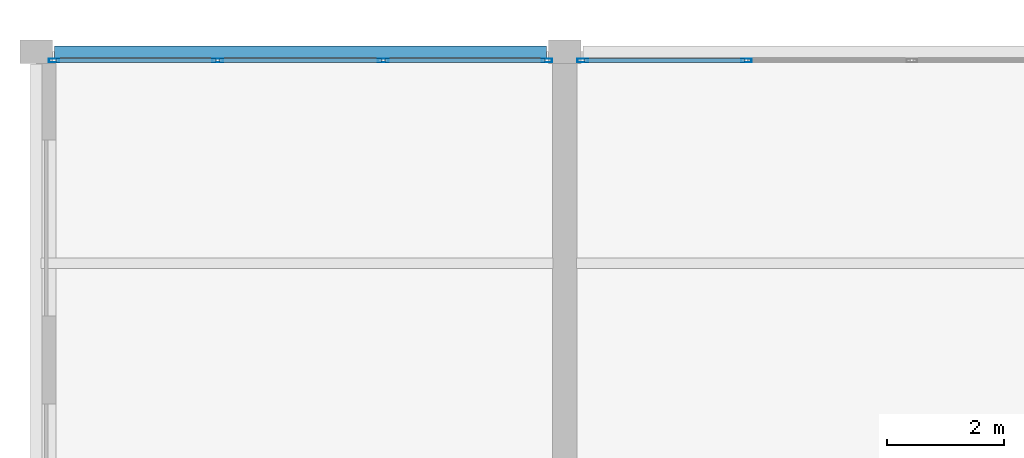
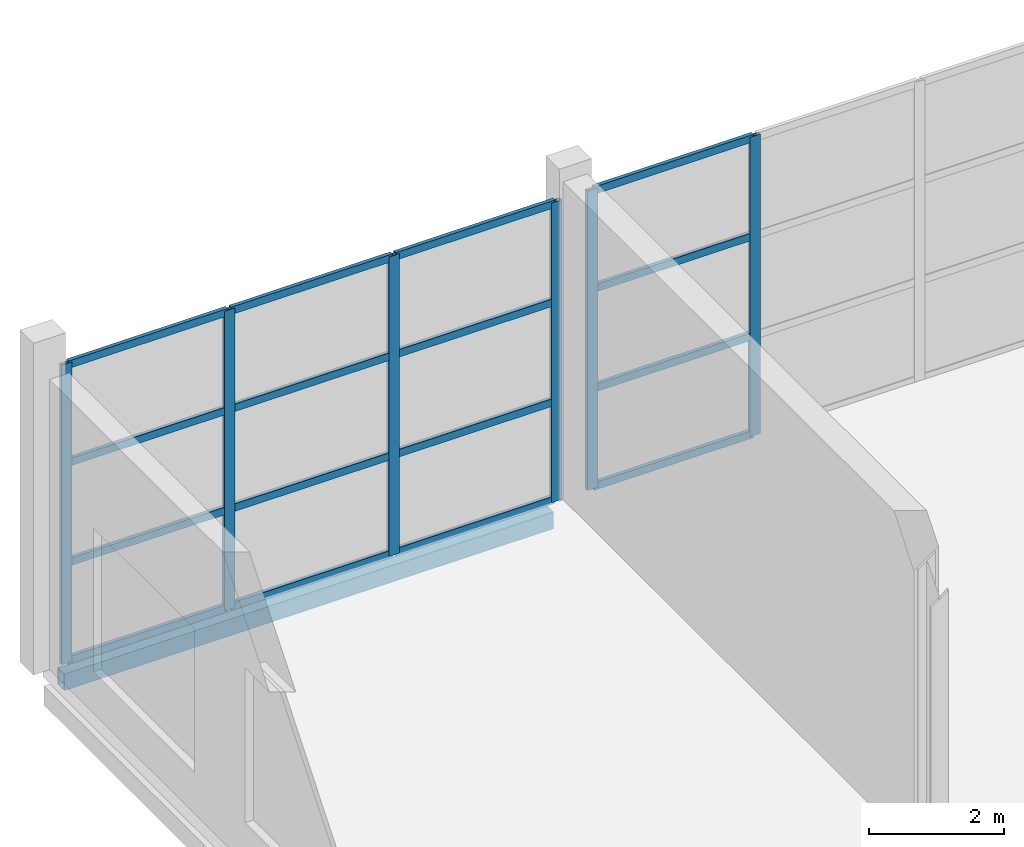
# One storey, part 89 of 191: 22 members, 1 beam, 2 elements without a shape of their own.
"""IFC4 building model written with IfcOpenShell, lengths in metres."""

from ifc_helpers import new_model, si_unit, direction, frame, origin, origin_2d, place, context, subcontext, project, spatial, hollow_rectangle, extrude, material, layer, layer_set, material_profile, profile_set, type_object, element, aggregate, save


model = new_model("IFC4")

# Units and contexts
model_context = context("Model", 3, precision=1e-05, world=origin(), true_north=direction((0.0, 1.0)))
body_context = subcontext(model_context, "Body", "Model", "MODEL_VIEW")
ifc_project = project(units=[si_unit("LENGTHUNIT", "METRE"), si_unit("AREAUNIT", "SQUARE_METRE"), si_unit("VOLUMEUNIT", "CUBIC_METRE"), si_unit("PLANEANGLEUNIT", "RADIAN"), si_unit("MASSUNIT", "GRAM", prefix="KILO")], contexts=[model_context])

# Site, building, storey
site_placement = place(None, origin())
site = spatial("IfcSite", under=ifc_project, at=site_placement, CompositionType="ELEMENT")
building_placement = place(site_placement, origin())
building = spatial("IfcBuilding", under=site, at=building_placement, Name="Tamarisk Ironworks Central Station", CompositionType="ELEMENT")
storey_placement = place(building_placement, frame((0.0, 0.0, 6.60009765625)))
storey = spatial("IfcBuildingStorey", under=building, at=storey_placement, Name="L01", CompositionType="ELEMENT", Elevation=6.60009765625)

# Beam
ifc_material_1 = material(Name="Structural steel S355J2", Category="steel")
ifc_material_profile_1 = material_profile(ifc_material_1, hollow_rectangle(XDim=0.199951171875, YDim=0.300048828125, WallThickness=0.011962890625, at=origin_2d()), Name="RHS 300x200x12")
ifc_profile_set_1 = profile_set([ifc_material_profile_1], Name="Structural steel S355J2")
beam_type = type_object("IfcBeamType", Name="BM-SP02", PredefinedType="SPANDREL", material=ifc_profile_set_1)
beam_placement = place(storey_placement, frame((0.31298828125, 122.39990234375, -0.400146484375), z_axis=(1.0, 0.0, 0.0), x_axis=(0.0, 1.0, 0.0)))
element("IfcBeam", 1, at=beam_placement, inside=storey, type_object=beam_type, Name="L01 primary girder X-0143", PredefinedType="SPANDREL", context=body_context, shape_type="SweptSolid", body=[
    extrude(hollow_rectangle(XDim=0.199951171875, YDim=0.300048828125, WallThickness=0.011962890625, at=origin_2d()), origin(), (0.0, 0.0, 1.0), 8.3740234375),
])

# Curtain wall, members
ifc_material_2 = material(Name="Anodized aluminium alloy 6063-T6", Category="aluminium")
ifc_layer = layer(ifc_material_2, 0.179931640625)
ifc_layer_set = layer_set([ifc_layer], Name="Anodized aluminium alloy 6063-T6")
curtain_wall_type = type_object("IfcCurtainWallType", Name="CW-13", PredefinedType="USERDEFINED", material=ifc_layer_set)
curtain_wall_1_placement = place(storey_placement, origin())
curtain_wall_1 = element("IfcCurtainWall", 2, at=curtain_wall_1_placement, inside=storey, type_object=curtain_wall_type, Name="Pavilion L01 N glazed arcade 00", ObjectType="GLAZED CURTAIN WALL", PredefinedType="USERDEFINED")
ifc_material_profile_2 = material_profile(ifc_material_2, hollow_rectangle(XDim=0.06494140625, YDim=0.179931640625, WallThickness=0.00390625, at=origin_2d()), Name="ALUM 180x65")
ifc_profile_set_2 = profile_set([ifc_material_profile_2], Name="Anodized aluminium alloy 6063-T6")
member_type_1 = type_object("IfcMemberType", Name="CWM-02", PredefinedType="MULLION", material=ifc_profile_set_2)
member_1_placement = place(storey_placement, frame((0.305419921875, 122.25, 0.0), z_axis=(0.0, 0.0, 1.0), x_axis=(0.0, 1.0, 0.0)))
member_1 = element("IfcMember", 3, at=member_1_placement, type_object=member_type_1, Name="CW13 mullion 1", PredefinedType="MULLION", context=body_context, shape_type="SweptSolid", body=[
    extrude(hollow_rectangle(XDim=0.06494140625, YDim=0.179931640625, WallThickness=0.00390625, at=origin_2d()), origin(), (0.0, 0.0, 1.0), 5.419921875),
])
member_2_placement = place(storey_placement, frame((3.091064453125, 122.25, 0.0), z_axis=(0.0, 0.0, 1.0), x_axis=(0.0, 1.0, 0.0)))
member_2 = element("IfcMember", 4, at=member_2_placement, type_object=member_type_1, Name="CW13 mullion 2", PredefinedType="MULLION", context=body_context, shape_type="SweptSolid", body=[
    extrude(hollow_rectangle(XDim=0.06494140625, YDim=0.179931640625, WallThickness=0.00390625, at=origin_2d()), origin(), (0.0, 0.0, 1.0), 5.419921875),
])
member_3_placement = place(storey_placement, frame((5.908935546875, 122.25, 0.0), z_axis=(0.0, 0.0, 1.0), x_axis=(0.0, 1.0, 0.0)))
member_3 = element("IfcMember", 5, at=member_3_placement, type_object=member_type_1, Name="CW13 mullion 3", PredefinedType="MULLION", context=body_context, shape_type="SweptSolid", body=[
    extrude(hollow_rectangle(XDim=0.06494140625, YDim=0.179931640625, WallThickness=0.00390625, at=origin_2d()), origin(), (0.0, 0.0, 1.0), 5.419921875),
])
member_4_placement = place(storey_placement, frame((8.694580078125, 122.25, 0.0), z_axis=(0.0, 0.0, 1.0), x_axis=(0.0, 1.0, 0.0)))
member_4 = element("IfcMember", 6, at=member_4_placement, type_object=member_type_1, Name="CW13 mullion 4", PredefinedType="MULLION", context=body_context, shape_type="SweptSolid", body=[
    extrude(hollow_rectangle(XDim=0.06494140625, YDim=0.179931640625, WallThickness=0.00390625, at=origin_2d()), origin(), (0.0, 0.0, 1.0), 5.419921875),
])

curtain_wall_2_placement = place(storey_placement, origin())
curtain_wall_2 = element("IfcCurtainWall", 7, at=curtain_wall_2_placement, inside=storey, type_object=curtain_wall_type, Name="Pavilion L01 N glazed arcade 09", ObjectType="GLAZED CURTAIN WALL", PredefinedType="USERDEFINED")
member_5_placement = place(storey_placement, frame((9.305419921875, 122.25, 0.0), z_axis=(0.0, 0.0, 1.0), x_axis=(0.0, 1.0, 0.0)))
member_5 = element("IfcMember", 8, at=member_5_placement, type_object=member_type_1, Name="CW13 mullion 1", PredefinedType="MULLION", context=body_context, shape_type="SweptSolid", body=[
    extrude(hollow_rectangle(XDim=0.06494140625, YDim=0.179931640625, WallThickness=0.00390625, at=origin_2d()), origin(), (0.0, 0.0, 1.0), 5.419921875),
])
member_6_placement = place(storey_placement, frame((12.091064453125, 122.25, 0.0), z_axis=(0.0, 0.0, 1.0), x_axis=(0.0, 1.0, 0.0)))
member_6 = element("IfcMember", 9, at=member_6_placement, type_object=member_type_1, Name="CW13 mullion 2", PredefinedType="MULLION", context=body_context, shape_type="SweptSolid", body=[
    extrude(hollow_rectangle(XDim=0.06494140625, YDim=0.179931640625, WallThickness=0.00390625, at=origin_2d()), origin(), (0.0, 0.0, 1.0), 5.419921875),
])

# Member
ifc_material_profile_3 = material_profile(ifc_material_2, hollow_rectangle(XDim=0.06494140625, YDim=0.135009765625, WallThickness=0.00341796875, at=origin_2d()), Name="ALUM 135x65")
ifc_profile_set_3 = profile_set([ifc_material_profile_3], Name="Anodized aluminium alloy 6063-T6")
member_type_2 = type_object("IfcMemberType", Name="CWT-02", PredefinedType="USERDEFINED", material=ifc_profile_set_3)
member_7_placement = place(storey_placement, frame((0.333984375, 122.25, 0.032470703125), z_axis=(1.0, 0.0, 0.0), x_axis=(0.0, 1.0, 0.0)))
member_7 = element("IfcMember", 10, at=member_7_placement, type_object=member_type_2, Name="CW13 transom 1.1", ObjectType="TRANSOM", PredefinedType="USERDEFINED", context=body_context, shape_type="SweptSolid", body=[
    extrude(hollow_rectangle(XDim=0.06494140625, YDim=0.135009765625, WallThickness=0.00341796875, at=origin_2d()), origin(), (0.0, 0.0, 1.0), 2.728515625),
])

member_8_placement = place(storey_placement, frame((0.333984375, 122.25, 1.806640625), z_axis=(1.0, 0.0, 0.0), x_axis=(0.0, 1.0, 0.0)))
member_8 = element("IfcMember", 11, at=member_8_placement, type_object=member_type_2, Name="CW13 transom 1.2", ObjectType="TRANSOM", PredefinedType="USERDEFINED", context=body_context, shape_type="SweptSolid", body=[
    extrude(hollow_rectangle(XDim=0.06494140625, YDim=0.135009765625, WallThickness=0.00341796875, at=origin_2d()), origin(), (0.0, 0.0, 1.0), 2.728515625),
])

member_9_placement = place(storey_placement, frame((0.333984375, 122.25, 3.61328125), z_axis=(1.0, 0.0, 0.0), x_axis=(0.0, 1.0, 0.0)))
member_9 = element("IfcMember", 12, at=member_9_placement, type_object=member_type_2, Name="CW13 transom 1.3", ObjectType="TRANSOM", PredefinedType="USERDEFINED", context=body_context, shape_type="SweptSolid", body=[
    extrude(hollow_rectangle(XDim=0.06494140625, YDim=0.135009765625, WallThickness=0.00341796875, at=origin_2d()), origin(), (0.0, 0.0, 1.0), 2.728515625),
])

member_10_placement = place(storey_placement, frame((0.333984375, 122.25, 5.387451171875), z_axis=(1.0, 0.0, 0.0), x_axis=(0.0, 1.0, 0.0)))
member_10 = element("IfcMember", 13, at=member_10_placement, type_object=member_type_2, Name="CW13 transom 1.4", ObjectType="TRANSOM", PredefinedType="USERDEFINED", context=body_context, shape_type="SweptSolid", body=[
    extrude(hollow_rectangle(XDim=0.06494140625, YDim=0.135009765625, WallThickness=0.00341796875, at=origin_2d()), origin(), (0.0, 0.0, 1.0), 2.728515625),
])

member_11_placement = place(storey_placement, frame((3.119384765625, 122.25, 0.032470703125), z_axis=(1.0, 0.0, 0.0), x_axis=(0.0, 1.0, 0.0)))
member_11 = element("IfcMember", 14, at=member_11_placement, type_object=member_type_2, Name="CW13 transom 2.1", ObjectType="TRANSOM", PredefinedType="USERDEFINED", context=body_context, shape_type="SweptSolid", body=[
    extrude(hollow_rectangle(XDim=0.06494140625, YDim=0.135009765625, WallThickness=0.00341796875, at=origin_2d()), origin(), (0.0, 0.0, 1.0), 2.76123046875),
])

member_12_placement = place(storey_placement, frame((3.119384765625, 122.25, 1.806640625), z_axis=(1.0, 0.0, 0.0), x_axis=(0.0, 1.0, 0.0)))
member_12 = element("IfcMember", 15, at=member_12_placement, type_object=member_type_2, Name="CW13 transom 2.2", ObjectType="TRANSOM", PredefinedType="USERDEFINED", context=body_context, shape_type="SweptSolid", body=[
    extrude(hollow_rectangle(XDim=0.06494140625, YDim=0.135009765625, WallThickness=0.00341796875, at=origin_2d()), origin(), (0.0, 0.0, 1.0), 2.76123046875),
])

member_13_placement = place(storey_placement, frame((3.119384765625, 122.25, 3.61328125), z_axis=(1.0, 0.0, 0.0), x_axis=(0.0, 1.0, 0.0)))
member_13 = element("IfcMember", 16, at=member_13_placement, type_object=member_type_2, Name="CW13 transom 2.3", ObjectType="TRANSOM", PredefinedType="USERDEFINED", context=body_context, shape_type="SweptSolid", body=[
    extrude(hollow_rectangle(XDim=0.06494140625, YDim=0.135009765625, WallThickness=0.00341796875, at=origin_2d()), origin(), (0.0, 0.0, 1.0), 2.76123046875),
])

member_14_placement = place(storey_placement, frame((3.119384765625, 122.25, 5.387451171875), z_axis=(1.0, 0.0, 0.0), x_axis=(0.0, 1.0, 0.0)))
member_14 = element("IfcMember", 17, at=member_14_placement, type_object=member_type_2, Name="CW13 transom 2.4", ObjectType="TRANSOM", PredefinedType="USERDEFINED", context=body_context, shape_type="SweptSolid", body=[
    extrude(hollow_rectangle(XDim=0.06494140625, YDim=0.135009765625, WallThickness=0.00341796875, at=origin_2d()), origin(), (0.0, 0.0, 1.0), 2.76123046875),
])

member_15_placement = place(storey_placement, frame((5.9375, 122.25, 0.032470703125), z_axis=(1.0, 0.0, 0.0), x_axis=(0.0, 1.0, 0.0)))
member_15 = element("IfcMember", 18, at=member_15_placement, type_object=member_type_2, Name="CW13 transom 3.1", ObjectType="TRANSOM", PredefinedType="USERDEFINED", context=body_context, shape_type="SweptSolid", body=[
    extrude(hollow_rectangle(XDim=0.06494140625, YDim=0.135009765625, WallThickness=0.00341796875, at=origin_2d()), origin(), (0.0, 0.0, 1.0), 2.728515625),
])

member_16_placement = place(storey_placement, frame((5.9375, 122.25, 1.806640625), z_axis=(1.0, 0.0, 0.0), x_axis=(0.0, 1.0, 0.0)))
member_16 = element("IfcMember", 19, at=member_16_placement, type_object=member_type_2, Name="CW13 transom 3.2", ObjectType="TRANSOM", PredefinedType="USERDEFINED", context=body_context, shape_type="SweptSolid", body=[
    extrude(hollow_rectangle(XDim=0.06494140625, YDim=0.135009765625, WallThickness=0.00341796875, at=origin_2d()), origin(), (0.0, 0.0, 1.0), 2.728515625),
])

member_17_placement = place(storey_placement, frame((5.9375, 122.25, 3.61328125), z_axis=(1.0, 0.0, 0.0), x_axis=(0.0, 1.0, 0.0)))
member_17 = element("IfcMember", 20, at=member_17_placement, type_object=member_type_2, Name="CW13 transom 3.3", ObjectType="TRANSOM", PredefinedType="USERDEFINED", context=body_context, shape_type="SweptSolid", body=[
    extrude(hollow_rectangle(XDim=0.06494140625, YDim=0.135009765625, WallThickness=0.00341796875, at=origin_2d()), origin(), (0.0, 0.0, 1.0), 2.728515625),
])

member_18_placement = place(storey_placement, frame((5.9375, 122.25, 5.387451171875), z_axis=(1.0, 0.0, 0.0), x_axis=(0.0, 1.0, 0.0)))
member_18 = element("IfcMember", 21, at=member_18_placement, type_object=member_type_2, Name="CW13 transom 3.4", ObjectType="TRANSOM", PredefinedType="USERDEFINED", context=body_context, shape_type="SweptSolid", body=[
    extrude(hollow_rectangle(XDim=0.06494140625, YDim=0.135009765625, WallThickness=0.00341796875, at=origin_2d()), origin(), (0.0, 0.0, 1.0), 2.728515625),
])

aggregate(curtain_wall_1, [member_1, member_2, member_3, member_4, member_7, member_8, member_9, member_10, member_11, member_12, member_13, member_14, member_15, member_16, member_17, member_18])

member_19_placement = place(storey_placement, frame((9.333984375, 122.25, 0.032470703125), z_axis=(1.0, 0.0, 0.0), x_axis=(0.0, 1.0, 0.0)))
member_19 = element("IfcMember", 22, at=member_19_placement, type_object=member_type_2, Name="CW13 transom 1.1", ObjectType="TRANSOM", PredefinedType="USERDEFINED", context=body_context, shape_type="SweptSolid", body=[
    extrude(hollow_rectangle(XDim=0.06494140625, YDim=0.135009765625, WallThickness=0.00341796875, at=origin_2d()), origin(), (0.0, 0.0, 1.0), 2.728515625),
])

member_20_placement = place(storey_placement, frame((9.333984375, 122.25, 1.806640625), z_axis=(1.0, 0.0, 0.0), x_axis=(0.0, 1.0, 0.0)))
member_20 = element("IfcMember", 23, at=member_20_placement, type_object=member_type_2, Name="CW13 transom 1.2", ObjectType="TRANSOM", PredefinedType="USERDEFINED", context=body_context, shape_type="SweptSolid", body=[
    extrude(hollow_rectangle(XDim=0.06494140625, YDim=0.135009765625, WallThickness=0.00341796875, at=origin_2d()), origin(), (0.0, 0.0, 1.0), 2.728515625),
])

member_21_placement = place(storey_placement, frame((9.333984375, 122.25, 3.61328125), z_axis=(1.0, 0.0, 0.0), x_axis=(0.0, 1.0, 0.0)))
member_21 = element("IfcMember", 24, at=member_21_placement, type_object=member_type_2, Name="CW13 transom 1.3", ObjectType="TRANSOM", PredefinedType="USERDEFINED", context=body_context, shape_type="SweptSolid", body=[
    extrude(hollow_rectangle(XDim=0.06494140625, YDim=0.135009765625, WallThickness=0.00341796875, at=origin_2d()), origin(), (0.0, 0.0, 1.0), 2.728515625),
])

member_22_placement = place(storey_placement, frame((9.333984375, 122.25, 5.387451171875), z_axis=(1.0, 0.0, 0.0), x_axis=(0.0, 1.0, 0.0)))
member_22 = element("IfcMember", 25, at=member_22_placement, type_object=member_type_2, Name="CW13 transom 1.4", ObjectType="TRANSOM", PredefinedType="USERDEFINED", context=body_context, shape_type="SweptSolid", body=[
    extrude(hollow_rectangle(XDim=0.06494140625, YDim=0.135009765625, WallThickness=0.00341796875, at=origin_2d()), origin(), (0.0, 0.0, 1.0), 2.728515625),
])

aggregate(curtain_wall_2, [member_5, member_6, member_19, member_20, member_21, member_22])

save(model, "model.ifc")
